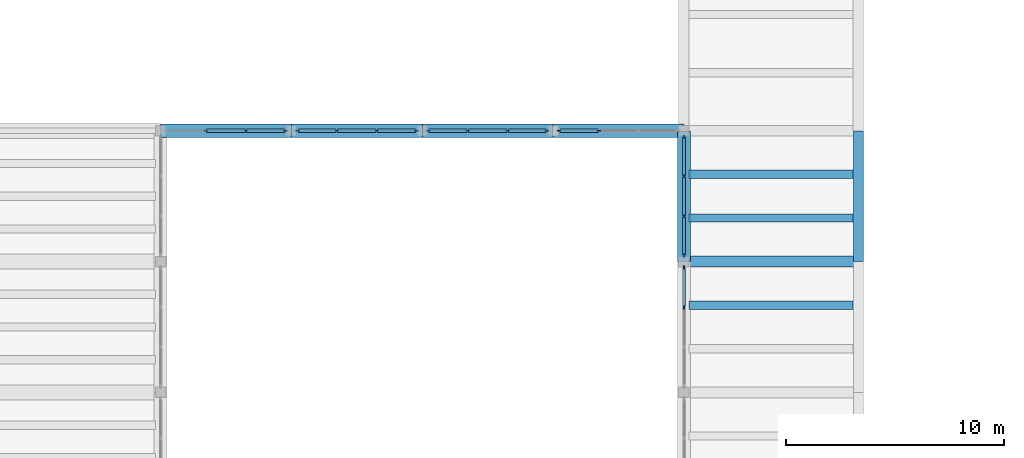
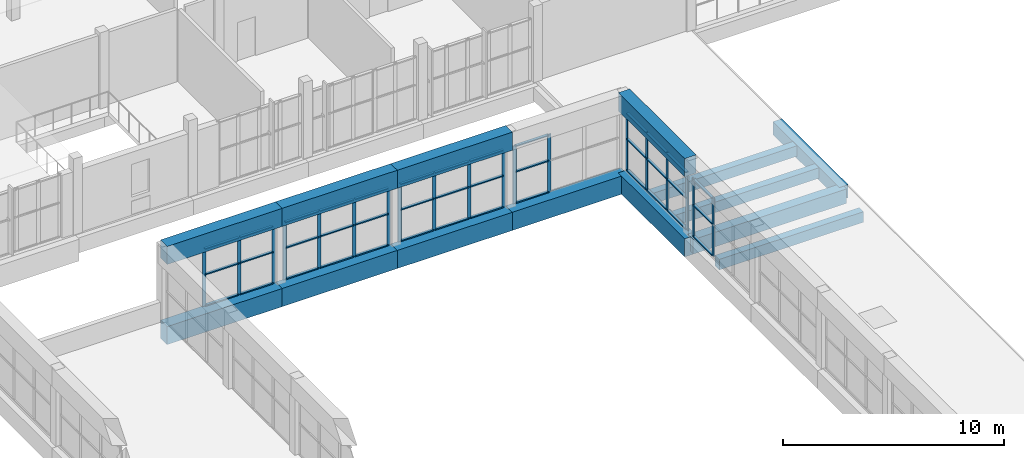
# One storey, part 25 of 70: 58 members, 14 beams, 6 elements without a shape of their own.
"""IFC4 building model written with IfcOpenShell, lengths in metres."""

from ifc_helpers import new_model, si_unit, direction, frame, origin, origin_2d, place, context, subcontext, project, spatial, rectangle, extrude, material, layer, layer_set, material_profile, profile_set, type_object, element, aggregate, save


model = new_model("IFC4")

# Units and contexts
model_context = context("Model", 3, precision=1e-05, world=origin(), true_north=direction((0.0, 1.0)))
body_context = subcontext(model_context, "Body", "Model", "MODEL_VIEW")
ifc_project = project(units=[si_unit("LENGTHUNIT", "METRE"), si_unit("AREAUNIT", "SQUARE_METRE"), si_unit("VOLUMEUNIT", "CUBIC_METRE"), si_unit("PLANEANGLEUNIT", "RADIAN"), si_unit("MASSUNIT", "GRAM", prefix="KILO")], contexts=[model_context])

# Site, building, storey
site_placement = place(None, origin())
site = spatial("IfcSite", under=ifc_project, at=site_placement, CompositionType="ELEMENT")
building_placement = place(site_placement, origin())
building = spatial("IfcBuilding", under=site, at=building_placement, Name="Solvane Community Centre", CompositionType="ELEMENT")
storey_placement = place(building_placement, frame((0.0, 0.0, 9.60009765625)))
storey = spatial("IfcBuildingStorey", under=building, at=storey_placement, Name="L02", CompositionType="ELEMENT", Elevation=9.60009765625)

# Curtain wall, members
ifc_material_1 = material(Name="Anodised bronze aluminium AW-6063 T6", Category="aluminium")
ifc_layer = layer(ifc_material_1, 0.179931640625)
ifc_layer_set = layer_set([ifc_layer], Name="Anodised bronze aluminium AW-6063 T6")
curtain_wall_type = type_object("IfcCurtainWallType", Name="Hall Translucent Upper Curtain Wall [55x32dm]", PredefinedType="NOTDEFINED", material=ifc_layer_set)
curtain_wall_1_placement = place(storey_placement, origin())
curtain_wall_1 = element("IfcCurtainWall", 1, at=curtain_wall_1_placement, inside=storey, type_object=curtain_wall_type, Name="Curtain Wall CW-L02-600_663-141", PredefinedType="NOTDEFINED")
ifc_material_profile_1 = material_profile(ifc_material_1, rectangle(XDim=0.06005859375, YDim=0.179931640625, at=origin_2d()), Name="CW-M 60x180")
ifc_profile_set_1 = profile_set([ifc_material_profile_1], Name="Anodised bronze aluminium AW-6063 T6")
member_type_1 = type_object("IfcMemberType", Name="Hall Mullion 60x180", PredefinedType="MULLION", material=ifc_profile_set_1)
member_1_placement = place(storey_placement, frame((60.0, 69.9150390625, 0.0), z_axis=(0.0, 0.0, 1.0), x_axis=(-1.0, 0.0, 0.0)))
member_1 = element("IfcMember", 2, at=member_1_placement, type_object=member_type_1, Name="CW01-55x32 mullion 3", PredefinedType="MULLION", context=body_context, shape_type="SweptSolid", body=[
    extrude(rectangle(XDim=0.06005859375, YDim=0.179931640625, at=origin_2d()), origin(), (0.0, 0.0, 1.0), 3.184814453125),
])
member_2_placement = place(storey_placement, frame((60.0, 71.715087890625, 0.0), z_axis=(0.0, 0.0, 1.0), x_axis=(-1.0, 0.0, 0.0)))
member_2 = element("IfcMember", 3, at=member_2_placement, type_object=member_type_1, Name="CW01-55x32 mullion 4", PredefinedType="MULLION", context=body_context, shape_type="SweptSolid", body=[
    extrude(rectangle(XDim=0.06005859375, YDim=0.179931640625, at=origin_2d()), origin(), (0.0, 0.0, 1.0), 3.184814453125),
])

curtain_wall_2_placement = place(storey_placement, origin())
curtain_wall_2 = element("IfcCurtainWall", 4, at=curtain_wall_2_placement, inside=storey, type_object=curtain_wall_type, Name="Curtain Wall CW-L02-600_723-142", PredefinedType="NOTDEFINED")
member_3_placement = place(storey_placement, frame((60.0, 72.284912109375, 0.0), z_axis=(0.0, 0.0, 1.0), x_axis=(-1.0, 0.0, 0.0)))
member_3 = element("IfcMember", 5, at=member_3_placement, type_object=member_type_1, Name="CW01-55x32 mullion 1", PredefinedType="MULLION", context=body_context, shape_type="SweptSolid", body=[
    extrude(rectangle(XDim=0.06005859375, YDim=0.179931640625, at=origin_2d()), origin(), (0.0, 0.0, 1.0), 3.184814453125),
])
member_4_placement = place(storey_placement, frame((60.0, 74.0849609375, 0.0), z_axis=(0.0, 0.0, 1.0), x_axis=(-1.0, 0.0, 0.0)))
member_4 = element("IfcMember", 6, at=member_4_placement, type_object=member_type_1, Name="CW01-55x32 mullion 2", PredefinedType="MULLION", context=body_context, shape_type="SweptSolid", body=[
    extrude(rectangle(XDim=0.06005859375, YDim=0.179931640625, at=origin_2d()), origin(), (0.0, 0.0, 1.0), 3.184814453125),
])
member_5_placement = place(storey_placement, frame((60.0, 75.9150390625, 0.0), z_axis=(0.0, 0.0, 1.0), x_axis=(-1.0, 0.0, 0.0)))
member_5 = element("IfcMember", 7, at=member_5_placement, type_object=member_type_1, Name="CW01-55x32 mullion 3", PredefinedType="MULLION", context=body_context, shape_type="SweptSolid", body=[
    extrude(rectangle(XDim=0.06005859375, YDim=0.179931640625, at=origin_2d()), origin(), (0.0, 0.0, 1.0), 3.184814453125),
])
member_6_placement = place(storey_placement, frame((60.0, 77.715087890625, 0.0), z_axis=(0.0, 0.0, 1.0), x_axis=(-1.0, 0.0, 0.0)))
member_6 = element("IfcMember", 8, at=member_6_placement, type_object=member_type_1, Name="CW01-55x32 mullion 4", PredefinedType="MULLION", context=body_context, shape_type="SweptSolid", body=[
    extrude(rectangle(XDim=0.06005859375, YDim=0.179931640625, at=origin_2d()), origin(), (0.0, 0.0, 1.0), 3.184814453125),
])

curtain_wall_3_placement = place(storey_placement, origin())
curtain_wall_3 = element("IfcCurtainWall", 9, at=curtain_wall_3_placement, inside=storey, type_object=curtain_wall_type, Name="Curtain Wall CW-L02-363_780-158", PredefinedType="NOTDEFINED")
member_7_placement = place(storey_placement, frame((38.0849609375, 78.0, 0.0), z_axis=(0.0, 0.0, 1.0), x_axis=(0.0, 1.0, 0.0)))
member_7 = element("IfcMember", 10, at=member_7_placement, type_object=member_type_1, Name="CW01-55x32 mullion 2", PredefinedType="MULLION", context=body_context, shape_type="SweptSolid", body=[
    extrude(rectangle(XDim=0.06005859375, YDim=0.179931640625, at=origin_2d()), origin(), (0.0, 0.0, 1.0), 3.184814453125),
])
member_8_placement = place(storey_placement, frame((39.9150390625, 78.0, 0.0), z_axis=(0.0, 0.0, 1.0), x_axis=(0.0, 1.0, 0.0)))
member_8 = element("IfcMember", 11, at=member_8_placement, type_object=member_type_1, Name="CW01-55x32 mullion 3", PredefinedType="MULLION", context=body_context, shape_type="SweptSolid", body=[
    extrude(rectangle(XDim=0.06005859375, YDim=0.179931640625, at=origin_2d()), origin(), (0.0, 0.0, 1.0), 3.184814453125),
])
member_9_placement = place(storey_placement, frame((41.715087890625, 78.0, 0.0), z_axis=(0.0, 0.0, 1.0), x_axis=(0.0, 1.0, 0.0)))
member_9 = element("IfcMember", 12, at=member_9_placement, type_object=member_type_1, Name="CW01-55x32 mullion 4", PredefinedType="MULLION", context=body_context, shape_type="SweptSolid", body=[
    extrude(rectangle(XDim=0.06005859375, YDim=0.179931640625, at=origin_2d()), origin(), (0.0, 0.0, 1.0), 3.184814453125),
])

curtain_wall_4_placement = place(storey_placement, origin())
curtain_wall_4 = element("IfcCurtainWall", 13, at=curtain_wall_4_placement, inside=storey, type_object=curtain_wall_type, Name="Curtain Wall CW-L02-423_780-159", PredefinedType="NOTDEFINED")
member_10_placement = place(storey_placement, frame((42.284912109375, 78.0, 0.0), z_axis=(0.0, 0.0, 1.0), x_axis=(0.0, 1.0, 0.0)))
member_10 = element("IfcMember", 14, at=member_10_placement, type_object=member_type_1, Name="CW01-55x32 mullion 1", PredefinedType="MULLION", context=body_context, shape_type="SweptSolid", body=[
    extrude(rectangle(XDim=0.06005859375, YDim=0.179931640625, at=origin_2d()), origin(), (0.0, 0.0, 1.0), 3.184814453125),
])
member_11_placement = place(storey_placement, frame((44.0849609375, 78.0, 0.0), z_axis=(0.0, 0.0, 1.0), x_axis=(0.0, 1.0, 0.0)))
member_11 = element("IfcMember", 15, at=member_11_placement, type_object=member_type_1, Name="CW01-55x32 mullion 2", PredefinedType="MULLION", context=body_context, shape_type="SweptSolid", body=[
    extrude(rectangle(XDim=0.06005859375, YDim=0.179931640625, at=origin_2d()), origin(), (0.0, 0.0, 1.0), 3.184814453125),
])
member_12_placement = place(storey_placement, frame((45.9150390625, 78.0, 0.0), z_axis=(0.0, 0.0, 1.0), x_axis=(0.0, 1.0, 0.0)))
member_12 = element("IfcMember", 16, at=member_12_placement, type_object=member_type_1, Name="CW01-55x32 mullion 3", PredefinedType="MULLION", context=body_context, shape_type="SweptSolid", body=[
    extrude(rectangle(XDim=0.06005859375, YDim=0.179931640625, at=origin_2d()), origin(), (0.0, 0.0, 1.0), 3.184814453125),
])
member_13_placement = place(storey_placement, frame((47.715087890625, 78.0, 0.0), z_axis=(0.0, 0.0, 1.0), x_axis=(0.0, 1.0, 0.0)))
member_13 = element("IfcMember", 17, at=member_13_placement, type_object=member_type_1, Name="CW01-55x32 mullion 4", PredefinedType="MULLION", context=body_context, shape_type="SweptSolid", body=[
    extrude(rectangle(XDim=0.06005859375, YDim=0.179931640625, at=origin_2d()), origin(), (0.0, 0.0, 1.0), 3.184814453125),
])

curtain_wall_5_placement = place(storey_placement, origin())
curtain_wall_5 = element("IfcCurtainWall", 18, at=curtain_wall_5_placement, inside=storey, type_object=curtain_wall_type, Name="Curtain Wall CW-L02-483_780-160", PredefinedType="NOTDEFINED")
member_14_placement = place(storey_placement, frame((48.284912109375, 78.0, 0.0), z_axis=(0.0, 0.0, 1.0), x_axis=(0.0, 1.0, 0.0)))
member_14 = element("IfcMember", 19, at=member_14_placement, type_object=member_type_1, Name="CW01-55x32 mullion 1", PredefinedType="MULLION", context=body_context, shape_type="SweptSolid", body=[
    extrude(rectangle(XDim=0.06005859375, YDim=0.179931640625, at=origin_2d()), origin(), (0.0, 0.0, 1.0), 3.184814453125),
])
member_15_placement = place(storey_placement, frame((50.0849609375, 78.0, 0.0), z_axis=(0.0, 0.0, 1.0), x_axis=(0.0, 1.0, 0.0)))
member_15 = element("IfcMember", 20, at=member_15_placement, type_object=member_type_1, Name="CW01-55x32 mullion 2", PredefinedType="MULLION", context=body_context, shape_type="SweptSolid", body=[
    extrude(rectangle(XDim=0.06005859375, YDim=0.179931640625, at=origin_2d()), origin(), (0.0, 0.0, 1.0), 3.184814453125),
])
member_16_placement = place(storey_placement, frame((51.9150390625, 78.0, 0.0), z_axis=(0.0, 0.0, 1.0), x_axis=(0.0, 1.0, 0.0)))
member_16 = element("IfcMember", 21, at=member_16_placement, type_object=member_type_1, Name="CW01-55x32 mullion 3", PredefinedType="MULLION", context=body_context, shape_type="SweptSolid", body=[
    extrude(rectangle(XDim=0.06005859375, YDim=0.179931640625, at=origin_2d()), origin(), (0.0, 0.0, 1.0), 3.184814453125),
])
member_17_placement = place(storey_placement, frame((53.715087890625, 78.0, 0.0), z_axis=(0.0, 0.0, 1.0), x_axis=(0.0, 1.0, 0.0)))
member_17 = element("IfcMember", 22, at=member_17_placement, type_object=member_type_1, Name="CW01-55x32 mullion 4", PredefinedType="MULLION", context=body_context, shape_type="SweptSolid", body=[
    extrude(rectangle(XDim=0.06005859375, YDim=0.179931640625, at=origin_2d()), origin(), (0.0, 0.0, 1.0), 3.184814453125),
])

curtain_wall_6_placement = place(storey_placement, origin())
curtain_wall_6 = element("IfcCurtainWall", 23, at=curtain_wall_6_placement, inside=storey, type_object=curtain_wall_type, Name="Curtain Wall CW-L02-543_780-161", PredefinedType="NOTDEFINED")
member_18_placement = place(storey_placement, frame((54.284912109375, 78.0, 0.0), z_axis=(0.0, 0.0, 1.0), x_axis=(0.0, 1.0, 0.0)))
member_18 = element("IfcMember", 24, at=member_18_placement, type_object=member_type_1, Name="CW01-55x32 mullion 1", PredefinedType="MULLION", context=body_context, shape_type="SweptSolid", body=[
    extrude(rectangle(XDim=0.06005859375, YDim=0.179931640625, at=origin_2d()), origin(), (0.0, 0.0, 1.0), 3.184814453125),
])
member_19_placement = place(storey_placement, frame((56.0849609375, 78.0, 0.0), z_axis=(0.0, 0.0, 1.0), x_axis=(0.0, 1.0, 0.0)))
member_19 = element("IfcMember", 25, at=member_19_placement, type_object=member_type_1, Name="CW01-55x32 mullion 2", PredefinedType="MULLION", context=body_context, shape_type="SweptSolid", body=[
    extrude(rectangle(XDim=0.06005859375, YDim=0.179931640625, at=origin_2d()), origin(), (0.0, 0.0, 1.0), 3.184814453125),
])

# Member
ifc_material_profile_2 = material_profile(ifc_material_1, rectangle(XDim=0.139892578125, YDim=0.06005859375, at=origin_2d()), Name="CW-T 60x140")
ifc_profile_set_2 = profile_set([ifc_material_profile_2], Name="Anodised bronze aluminium AW-6063 T6")
member_type_2 = type_object("IfcMemberType", Name="Hall Transom 60x140", PredefinedType="USERDEFINED", material=ifc_profile_set_2)
member_20_placement = place(storey_placement, frame((60.0, 69.945068359375, 0.02978515625), z_axis=(0.0, 1.0, 0.0), x_axis=(-1.0, 0.0, 0.0)))
member_20 = element("IfcMember", 26, at=member_20_placement, type_object=member_type_2, Name="CW01-55x32 transom 3.1", ObjectType="TRANSOM", PredefinedType="USERDEFINED", context=body_context, shape_type="SweptSolid", body=[
    extrude(rectangle(XDim=0.139892578125, YDim=0.06005859375, at=origin_2d()), origin(), (0.0, 0.0, 1.0), 1.739990234375),
])

member_21_placement = place(storey_placement, frame((60.0, 69.945068359375, 1.751953125), z_axis=(0.0, 1.0, 0.0), x_axis=(-1.0, 0.0, 0.0)))
member_21 = element("IfcMember", 27, at=member_21_placement, type_object=member_type_2, Name="CW01-55x32 transom 3.2", ObjectType="TRANSOM", PredefinedType="USERDEFINED", context=body_context, shape_type="SweptSolid", body=[
    extrude(rectangle(XDim=0.139892578125, YDim=0.06005859375, at=origin_2d()), origin(), (0.0, 0.0, 1.0), 1.739990234375),
])

member_22_placement = place(storey_placement, frame((60.0, 69.945068359375, 3.15478515625), z_axis=(0.0, 1.0, 0.0), x_axis=(-1.0, 0.0, 0.0)))
member_22 = element("IfcMember", 28, at=member_22_placement, type_object=member_type_2, Name="CW01-55x32 transom 3.3", ObjectType="TRANSOM", PredefinedType="USERDEFINED", context=body_context, shape_type="SweptSolid", body=[
    extrude(rectangle(XDim=0.139892578125, YDim=0.06005859375, at=origin_2d()), origin(), (0.0, 0.0, 1.0), 1.739990234375),
])

aggregate(curtain_wall_1, [member_1, member_2, member_20, member_21, member_22])

member_23_placement = place(storey_placement, frame((60.0, 72.31494140625, 0.02978515625), z_axis=(0.0, 1.0, 0.0), x_axis=(-1.0, 0.0, 0.0)))
member_23 = element("IfcMember", 29, at=member_23_placement, type_object=member_type_2, Name="CW01-55x32 transom 1.1", ObjectType="TRANSOM", PredefinedType="USERDEFINED", context=body_context, shape_type="SweptSolid", body=[
    extrude(rectangle(XDim=0.139892578125, YDim=0.06005859375, at=origin_2d()), origin(), (0.0, 0.0, 1.0), 1.739990234375),
])

member_24_placement = place(storey_placement, frame((60.0, 72.31494140625, 1.751953125), z_axis=(0.0, 1.0, 0.0), x_axis=(-1.0, 0.0, 0.0)))
member_24 = element("IfcMember", 30, at=member_24_placement, type_object=member_type_2, Name="CW01-55x32 transom 1.2", ObjectType="TRANSOM", PredefinedType="USERDEFINED", context=body_context, shape_type="SweptSolid", body=[
    extrude(rectangle(XDim=0.139892578125, YDim=0.06005859375, at=origin_2d()), origin(), (0.0, 0.0, 1.0), 1.739990234375),
])

member_25_placement = place(storey_placement, frame((60.0, 72.31494140625, 3.15478515625), z_axis=(0.0, 1.0, 0.0), x_axis=(-1.0, 0.0, 0.0)))
member_25 = element("IfcMember", 31, at=member_25_placement, type_object=member_type_2, Name="CW01-55x32 transom 1.3", ObjectType="TRANSOM", PredefinedType="USERDEFINED", context=body_context, shape_type="SweptSolid", body=[
    extrude(rectangle(XDim=0.139892578125, YDim=0.06005859375, at=origin_2d()), origin(), (0.0, 0.0, 1.0), 1.739990234375),
])

member_26_placement = place(storey_placement, frame((60.0, 74.114990234375, 0.02978515625), z_axis=(0.0, 1.0, 0.0), x_axis=(-1.0, 0.0, 0.0)))
member_26 = element("IfcMember", 32, at=member_26_placement, type_object=member_type_2, Name="CW01-55x32 transom 2.1", ObjectType="TRANSOM", PredefinedType="USERDEFINED", context=body_context, shape_type="SweptSolid", body=[
    extrude(rectangle(XDim=0.139892578125, YDim=0.06005859375, at=origin_2d()), origin(), (0.0, 0.0, 1.0), 1.77001953125),
])

member_27_placement = place(storey_placement, frame((60.0, 74.114990234375, 1.751953125), z_axis=(0.0, 1.0, 0.0), x_axis=(-1.0, 0.0, 0.0)))
member_27 = element("IfcMember", 33, at=member_27_placement, type_object=member_type_2, Name="CW01-55x32 transom 2.2", ObjectType="TRANSOM", PredefinedType="USERDEFINED", context=body_context, shape_type="SweptSolid", body=[
    extrude(rectangle(XDim=0.139892578125, YDim=0.06005859375, at=origin_2d()), origin(), (0.0, 0.0, 1.0), 1.77001953125),
])

member_28_placement = place(storey_placement, frame((60.0, 74.114990234375, 3.15478515625), z_axis=(0.0, 1.0, 0.0), x_axis=(-1.0, 0.0, 0.0)))
member_28 = element("IfcMember", 34, at=member_28_placement, type_object=member_type_2, Name="CW01-55x32 transom 2.3", ObjectType="TRANSOM", PredefinedType="USERDEFINED", context=body_context, shape_type="SweptSolid", body=[
    extrude(rectangle(XDim=0.139892578125, YDim=0.06005859375, at=origin_2d()), origin(), (0.0, 0.0, 1.0), 1.77001953125),
])

member_29_placement = place(storey_placement, frame((60.0, 75.945068359375, 0.02978515625), z_axis=(0.0, 1.0, 0.0), x_axis=(-1.0, 0.0, 0.0)))
member_29 = element("IfcMember", 35, at=member_29_placement, type_object=member_type_2, Name="CW01-55x32 transom 3.1", ObjectType="TRANSOM", PredefinedType="USERDEFINED", context=body_context, shape_type="SweptSolid", body=[
    extrude(rectangle(XDim=0.139892578125, YDim=0.06005859375, at=origin_2d()), origin(), (0.0, 0.0, 1.0), 1.739990234375),
])

member_30_placement = place(storey_placement, frame((60.0, 75.945068359375, 1.751953125), z_axis=(0.0, 1.0, 0.0), x_axis=(-1.0, 0.0, 0.0)))
member_30 = element("IfcMember", 36, at=member_30_placement, type_object=member_type_2, Name="CW01-55x32 transom 3.2", ObjectType="TRANSOM", PredefinedType="USERDEFINED", context=body_context, shape_type="SweptSolid", body=[
    extrude(rectangle(XDim=0.139892578125, YDim=0.06005859375, at=origin_2d()), origin(), (0.0, 0.0, 1.0), 1.739990234375),
])

member_31_placement = place(storey_placement, frame((60.0, 75.945068359375, 3.15478515625), z_axis=(0.0, 1.0, 0.0), x_axis=(-1.0, 0.0, 0.0)))
member_31 = element("IfcMember", 37, at=member_31_placement, type_object=member_type_2, Name="CW01-55x32 transom 3.3", ObjectType="TRANSOM", PredefinedType="USERDEFINED", context=body_context, shape_type="SweptSolid", body=[
    extrude(rectangle(XDim=0.139892578125, YDim=0.06005859375, at=origin_2d()), origin(), (0.0, 0.0, 1.0), 1.739990234375),
])

aggregate(curtain_wall_2, [member_3, member_4, member_5, member_6, member_23, member_24, member_25, member_26, member_27, member_28, member_29, member_30, member_31])

member_32_placement = place(storey_placement, frame((38.114990234375, 78.0, 0.02978515625), z_axis=(1.0, 0.0, 0.0), x_axis=(0.0, 1.0, 0.0)))
member_32 = element("IfcMember", 38, at=member_32_placement, type_object=member_type_2, Name="CW01-55x32 transom 2.1", ObjectType="TRANSOM", PredefinedType="USERDEFINED", context=body_context, shape_type="SweptSolid", body=[
    extrude(rectangle(XDim=0.139892578125, YDim=0.06005859375, at=origin_2d()), origin(), (0.0, 0.0, 1.0), 1.77001953125),
])

member_33_placement = place(storey_placement, frame((38.114990234375, 78.0, 1.751953125), z_axis=(1.0, 0.0, 0.0), x_axis=(0.0, 1.0, 0.0)))
member_33 = element("IfcMember", 39, at=member_33_placement, type_object=member_type_2, Name="CW01-55x32 transom 2.2", ObjectType="TRANSOM", PredefinedType="USERDEFINED", context=body_context, shape_type="SweptSolid", body=[
    extrude(rectangle(XDim=0.139892578125, YDim=0.06005859375, at=origin_2d()), origin(), (0.0, 0.0, 1.0), 1.77001953125),
])

member_34_placement = place(storey_placement, frame((38.114990234375, 78.0, 3.15478515625), z_axis=(1.0, 0.0, 0.0), x_axis=(0.0, 1.0, 0.0)))
member_34 = element("IfcMember", 40, at=member_34_placement, type_object=member_type_2, Name="CW01-55x32 transom 2.3", ObjectType="TRANSOM", PredefinedType="USERDEFINED", context=body_context, shape_type="SweptSolid", body=[
    extrude(rectangle(XDim=0.139892578125, YDim=0.06005859375, at=origin_2d()), origin(), (0.0, 0.0, 1.0), 1.77001953125),
])

member_35_placement = place(storey_placement, frame((39.945068359375, 78.0, 0.02978515625), z_axis=(1.0, 0.0, 0.0), x_axis=(0.0, 1.0, 0.0)))
member_35 = element("IfcMember", 41, at=member_35_placement, type_object=member_type_2, Name="CW01-55x32 transom 3.1", ObjectType="TRANSOM", PredefinedType="USERDEFINED", context=body_context, shape_type="SweptSolid", body=[
    extrude(rectangle(XDim=0.139892578125, YDim=0.06005859375, at=origin_2d()), origin(), (0.0, 0.0, 1.0), 1.739990234375),
])

member_36_placement = place(storey_placement, frame((39.945068359375, 78.0, 1.751953125), z_axis=(1.0, 0.0, 0.0), x_axis=(0.0, 1.0, 0.0)))
member_36 = element("IfcMember", 42, at=member_36_placement, type_object=member_type_2, Name="CW01-55x32 transom 3.2", ObjectType="TRANSOM", PredefinedType="USERDEFINED", context=body_context, shape_type="SweptSolid", body=[
    extrude(rectangle(XDim=0.139892578125, YDim=0.06005859375, at=origin_2d()), origin(), (0.0, 0.0, 1.0), 1.739990234375),
])

member_37_placement = place(storey_placement, frame((39.945068359375, 78.0, 3.15478515625), z_axis=(1.0, 0.0, 0.0), x_axis=(0.0, 1.0, 0.0)))
member_37 = element("IfcMember", 43, at=member_37_placement, type_object=member_type_2, Name="CW01-55x32 transom 3.3", ObjectType="TRANSOM", PredefinedType="USERDEFINED", context=body_context, shape_type="SweptSolid", body=[
    extrude(rectangle(XDim=0.139892578125, YDim=0.06005859375, at=origin_2d()), origin(), (0.0, 0.0, 1.0), 1.739990234375),
])

aggregate(curtain_wall_3, [member_7, member_8, member_9, member_32, member_33, member_34, member_35, member_36, member_37])

member_38_placement = place(storey_placement, frame((42.31494140625, 78.0, 0.02978515625), z_axis=(1.0, 0.0, 0.0), x_axis=(0.0, 1.0, 0.0)))
member_38 = element("IfcMember", 44, at=member_38_placement, type_object=member_type_2, Name="CW01-55x32 transom 1.1", ObjectType="TRANSOM", PredefinedType="USERDEFINED", context=body_context, shape_type="SweptSolid", body=[
    extrude(rectangle(XDim=0.139892578125, YDim=0.06005859375, at=origin_2d()), origin(), (0.0, 0.0, 1.0), 1.739990234375),
])

member_39_placement = place(storey_placement, frame((42.31494140625, 78.0, 1.751953125), z_axis=(1.0, 0.0, 0.0), x_axis=(0.0, 1.0, 0.0)))
member_39 = element("IfcMember", 45, at=member_39_placement, type_object=member_type_2, Name="CW01-55x32 transom 1.2", ObjectType="TRANSOM", PredefinedType="USERDEFINED", context=body_context, shape_type="SweptSolid", body=[
    extrude(rectangle(XDim=0.139892578125, YDim=0.06005859375, at=origin_2d()), origin(), (0.0, 0.0, 1.0), 1.739990234375),
])

member_40_placement = place(storey_placement, frame((42.31494140625, 78.0, 3.15478515625), z_axis=(1.0, 0.0, 0.0), x_axis=(0.0, 1.0, 0.0)))
member_40 = element("IfcMember", 46, at=member_40_placement, type_object=member_type_2, Name="CW01-55x32 transom 1.3", ObjectType="TRANSOM", PredefinedType="USERDEFINED", context=body_context, shape_type="SweptSolid", body=[
    extrude(rectangle(XDim=0.139892578125, YDim=0.06005859375, at=origin_2d()), origin(), (0.0, 0.0, 1.0), 1.739990234375),
])

member_41_placement = place(storey_placement, frame((44.114990234375, 78.0, 0.02978515625), z_axis=(1.0, 0.0, 0.0), x_axis=(0.0, 1.0, 0.0)))
member_41 = element("IfcMember", 47, at=member_41_placement, type_object=member_type_2, Name="CW01-55x32 transom 2.1", ObjectType="TRANSOM", PredefinedType="USERDEFINED", context=body_context, shape_type="SweptSolid", body=[
    extrude(rectangle(XDim=0.139892578125, YDim=0.06005859375, at=origin_2d()), origin(), (0.0, 0.0, 1.0), 1.77001953125),
])

member_42_placement = place(storey_placement, frame((44.114990234375, 78.0, 1.751953125), z_axis=(1.0, 0.0, 0.0), x_axis=(0.0, 1.0, 0.0)))
member_42 = element("IfcMember", 48, at=member_42_placement, type_object=member_type_2, Name="CW01-55x32 transom 2.2", ObjectType="TRANSOM", PredefinedType="USERDEFINED", context=body_context, shape_type="SweptSolid", body=[
    extrude(rectangle(XDim=0.139892578125, YDim=0.06005859375, at=origin_2d()), origin(), (0.0, 0.0, 1.0), 1.77001953125),
])

member_43_placement = place(storey_placement, frame((44.114990234375, 78.0, 3.15478515625), z_axis=(1.0, 0.0, 0.0), x_axis=(0.0, 1.0, 0.0)))
member_43 = element("IfcMember", 49, at=member_43_placement, type_object=member_type_2, Name="CW01-55x32 transom 2.3", ObjectType="TRANSOM", PredefinedType="USERDEFINED", context=body_context, shape_type="SweptSolid", body=[
    extrude(rectangle(XDim=0.139892578125, YDim=0.06005859375, at=origin_2d()), origin(), (0.0, 0.0, 1.0), 1.77001953125),
])

member_44_placement = place(storey_placement, frame((45.945068359375, 78.0, 0.02978515625), z_axis=(1.0, 0.0, 0.0), x_axis=(0.0, 1.0, 0.0)))
member_44 = element("IfcMember", 50, at=member_44_placement, type_object=member_type_2, Name="CW01-55x32 transom 3.1", ObjectType="TRANSOM", PredefinedType="USERDEFINED", context=body_context, shape_type="SweptSolid", body=[
    extrude(rectangle(XDim=0.139892578125, YDim=0.06005859375, at=origin_2d()), origin(), (0.0, 0.0, 1.0), 1.739990234375),
])

member_45_placement = place(storey_placement, frame((45.945068359375, 78.0, 1.751953125), z_axis=(1.0, 0.0, 0.0), x_axis=(0.0, 1.0, 0.0)))
member_45 = element("IfcMember", 51, at=member_45_placement, type_object=member_type_2, Name="CW01-55x32 transom 3.2", ObjectType="TRANSOM", PredefinedType="USERDEFINED", context=body_context, shape_type="SweptSolid", body=[
    extrude(rectangle(XDim=0.139892578125, YDim=0.06005859375, at=origin_2d()), origin(), (0.0, 0.0, 1.0), 1.739990234375),
])

member_46_placement = place(storey_placement, frame((45.945068359375, 78.0, 3.15478515625), z_axis=(1.0, 0.0, 0.0), x_axis=(0.0, 1.0, 0.0)))
member_46 = element("IfcMember", 52, at=member_46_placement, type_object=member_type_2, Name="CW01-55x32 transom 3.3", ObjectType="TRANSOM", PredefinedType="USERDEFINED", context=body_context, shape_type="SweptSolid", body=[
    extrude(rectangle(XDim=0.139892578125, YDim=0.06005859375, at=origin_2d()), origin(), (0.0, 0.0, 1.0), 1.739990234375),
])

aggregate(curtain_wall_4, [member_10, member_11, member_12, member_13, member_38, member_39, member_40, member_41, member_42, member_43, member_44, member_45, member_46])

member_47_placement = place(storey_placement, frame((48.31494140625, 78.0, 0.02978515625), z_axis=(1.0, 0.0, 0.0), x_axis=(0.0, 1.0, 0.0)))
member_47 = element("IfcMember", 53, at=member_47_placement, type_object=member_type_2, Name="CW01-55x32 transom 1.1", ObjectType="TRANSOM", PredefinedType="USERDEFINED", context=body_context, shape_type="SweptSolid", body=[
    extrude(rectangle(XDim=0.139892578125, YDim=0.06005859375, at=origin_2d()), origin(), (0.0, 0.0, 1.0), 1.739990234375),
])

member_48_placement = place(storey_placement, frame((48.31494140625, 78.0, 1.751953125), z_axis=(1.0, 0.0, 0.0), x_axis=(0.0, 1.0, 0.0)))
member_48 = element("IfcMember", 54, at=member_48_placement, type_object=member_type_2, Name="CW01-55x32 transom 1.2", ObjectType="TRANSOM", PredefinedType="USERDEFINED", context=body_context, shape_type="SweptSolid", body=[
    extrude(rectangle(XDim=0.139892578125, YDim=0.06005859375, at=origin_2d()), origin(), (0.0, 0.0, 1.0), 1.739990234375),
])

member_49_placement = place(storey_placement, frame((48.31494140625, 78.0, 3.15478515625), z_axis=(1.0, 0.0, 0.0), x_axis=(0.0, 1.0, 0.0)))
member_49 = element("IfcMember", 55, at=member_49_placement, type_object=member_type_2, Name="CW01-55x32 transom 1.3", ObjectType="TRANSOM", PredefinedType="USERDEFINED", context=body_context, shape_type="SweptSolid", body=[
    extrude(rectangle(XDim=0.139892578125, YDim=0.06005859375, at=origin_2d()), origin(), (0.0, 0.0, 1.0), 1.739990234375),
])

member_50_placement = place(storey_placement, frame((50.114990234375, 78.0, 0.02978515625), z_axis=(1.0, 0.0, 0.0), x_axis=(0.0, 1.0, 0.0)))
member_50 = element("IfcMember", 56, at=member_50_placement, type_object=member_type_2, Name="CW01-55x32 transom 2.1", ObjectType="TRANSOM", PredefinedType="USERDEFINED", context=body_context, shape_type="SweptSolid", body=[
    extrude(rectangle(XDim=0.139892578125, YDim=0.06005859375, at=origin_2d()), origin(), (0.0, 0.0, 1.0), 1.77001953125),
])

member_51_placement = place(storey_placement, frame((50.114990234375, 78.0, 1.751953125), z_axis=(1.0, 0.0, 0.0), x_axis=(0.0, 1.0, 0.0)))
member_51 = element("IfcMember", 57, at=member_51_placement, type_object=member_type_2, Name="CW01-55x32 transom 2.2", ObjectType="TRANSOM", PredefinedType="USERDEFINED", context=body_context, shape_type="SweptSolid", body=[
    extrude(rectangle(XDim=0.139892578125, YDim=0.06005859375, at=origin_2d()), origin(), (0.0, 0.0, 1.0), 1.77001953125),
])

member_52_placement = place(storey_placement, frame((50.114990234375, 78.0, 3.15478515625), z_axis=(1.0, 0.0, 0.0), x_axis=(0.0, 1.0, 0.0)))
member_52 = element("IfcMember", 58, at=member_52_placement, type_object=member_type_2, Name="CW01-55x32 transom 2.3", ObjectType="TRANSOM", PredefinedType="USERDEFINED", context=body_context, shape_type="SweptSolid", body=[
    extrude(rectangle(XDim=0.139892578125, YDim=0.06005859375, at=origin_2d()), origin(), (0.0, 0.0, 1.0), 1.77001953125),
])

member_53_placement = place(storey_placement, frame((51.945068359375, 78.0, 0.02978515625), z_axis=(1.0, 0.0, 0.0), x_axis=(0.0, 1.0, 0.0)))
member_53 = element("IfcMember", 59, at=member_53_placement, type_object=member_type_2, Name="CW01-55x32 transom 3.1", ObjectType="TRANSOM", PredefinedType="USERDEFINED", context=body_context, shape_type="SweptSolid", body=[
    extrude(rectangle(XDim=0.139892578125, YDim=0.06005859375, at=origin_2d()), origin(), (0.0, 0.0, 1.0), 1.739990234375),
])

member_54_placement = place(storey_placement, frame((51.945068359375, 78.0, 1.751953125), z_axis=(1.0, 0.0, 0.0), x_axis=(0.0, 1.0, 0.0)))
member_54 = element("IfcMember", 60, at=member_54_placement, type_object=member_type_2, Name="CW01-55x32 transom 3.2", ObjectType="TRANSOM", PredefinedType="USERDEFINED", context=body_context, shape_type="SweptSolid", body=[
    extrude(rectangle(XDim=0.139892578125, YDim=0.06005859375, at=origin_2d()), origin(), (0.0, 0.0, 1.0), 1.739990234375),
])

member_55_placement = place(storey_placement, frame((51.945068359375, 78.0, 3.15478515625), z_axis=(1.0, 0.0, 0.0), x_axis=(0.0, 1.0, 0.0)))
member_55 = element("IfcMember", 61, at=member_55_placement, type_object=member_type_2, Name="CW01-55x32 transom 3.3", ObjectType="TRANSOM", PredefinedType="USERDEFINED", context=body_context, shape_type="SweptSolid", body=[
    extrude(rectangle(XDim=0.139892578125, YDim=0.06005859375, at=origin_2d()), origin(), (0.0, 0.0, 1.0), 1.739990234375),
])

aggregate(curtain_wall_5, [member_14, member_15, member_16, member_17, member_47, member_48, member_49, member_50, member_51, member_52, member_53, member_54, member_55])

member_56_placement = place(storey_placement, frame((54.31494140625, 78.0, 0.02978515625), z_axis=(1.0, 0.0, 0.0), x_axis=(0.0, 1.0, 0.0)))
member_56 = element("IfcMember", 62, at=member_56_placement, type_object=member_type_2, Name="CW01-55x32 transom 1.1", ObjectType="TRANSOM", PredefinedType="USERDEFINED", context=body_context, shape_type="SweptSolid", body=[
    extrude(rectangle(XDim=0.139892578125, YDim=0.06005859375, at=origin_2d()), origin(), (0.0, 0.0, 1.0), 1.739990234375),
])

member_57_placement = place(storey_placement, frame((54.31494140625, 78.0, 1.751953125), z_axis=(1.0, 0.0, 0.0), x_axis=(0.0, 1.0, 0.0)))
member_57 = element("IfcMember", 63, at=member_57_placement, type_object=member_type_2, Name="CW01-55x32 transom 1.2", ObjectType="TRANSOM", PredefinedType="USERDEFINED", context=body_context, shape_type="SweptSolid", body=[
    extrude(rectangle(XDim=0.139892578125, YDim=0.06005859375, at=origin_2d()), origin(), (0.0, 0.0, 1.0), 1.739990234375),
])

member_58_placement = place(storey_placement, frame((54.31494140625, 78.0, 3.15478515625), z_axis=(1.0, 0.0, 0.0), x_axis=(0.0, 1.0, 0.0)))
member_58 = element("IfcMember", 64, at=member_58_placement, type_object=member_type_2, Name="CW01-55x32 transom 1.3", ObjectType="TRANSOM", PredefinedType="USERDEFINED", context=body_context, shape_type="SweptSolid", body=[
    extrude(rectangle(XDim=0.139892578125, YDim=0.06005859375, at=origin_2d()), origin(), (0.0, 0.0, 1.0), 1.739990234375),
])

aggregate(curtain_wall_6, [member_18, member_19, member_56, member_57, member_58])

# Beams
ifc_material_2 = material(Name="Concrete C35/45", Category="concrete")
ifc_material_profile_3 = material_profile(ifc_material_2, rectangle(XDim=0.4599609375, YDim=0.719970703125, at=origin_2d()), Name="RC 460x720")
ifc_profile_set_3 = profile_set([ifc_material_profile_3], Name="Concrete C35/45")
beam_type_1 = type_object("IfcBeamType", Name="RC Cloister Beam 460x720", PredefinedType="BEAM", material=ifc_profile_set_3)
beam_1_placement = place(storey_placement, frame((68.0, 72.0, -0.580078125), z_axis=(0.0, 1.0, 0.0), x_axis=(-1.0, 0.0, 0.0)))
element("IfcBeam", 65, at=beam_1_placement, inside=storey, type_object=beam_type_1, Name="Beam BM-L02-680_720-680_780", PredefinedType="BEAM", context=body_context, shape_type="SweptSolid", body=[
    extrude(rectangle(XDim=0.4599609375, YDim=0.719970703125, at=origin_2d()), origin(), (0.0, 0.0, 1.0), 6.0),
])
ifc_material_profile_4 = material_profile(ifc_material_2, rectangle(XDim=0.5, YDim=0.800048828125, at=origin_2d()), Name="RC 500x800")
ifc_profile_set_4 = profile_set([ifc_material_profile_4], Name="Concrete C35/45")
beam_type_2 = type_object("IfcBeamType", Name="RC Primary Girder 500x800", PredefinedType="USERDEFINED", material=ifc_profile_set_4)
beam_2_placement = place(storey_placement, frame((60.0, 72.0, -0.6201171875), z_axis=(1.0, 0.0, 0.0), x_axis=(0.0, 1.0, 0.0)))
element("IfcBeam", 66, at=beam_2_placement, inside=storey, type_object=beam_type_2, Name="Beam BM-L02-600_720-680_720", ObjectType="GIRDER", PredefinedType="USERDEFINED", context=body_context, shape_type="SweptSolid", body=[
    extrude(rectangle(XDim=0.5, YDim=0.800048828125, at=origin_2d()), origin(), (0.0, 0.0, 1.0), 8.0),
])
ifc_material_profile_5 = material_profile(ifc_material_2, rectangle(XDim=0.3798828125, YDim=0.580078125, at=origin_2d()), Name="RC 380x580")
ifc_profile_set_5 = profile_set([ifc_material_profile_5], Name="Concrete C35/45")
beam_type_3 = type_object("IfcBeamType", Name="RC Short Joist 380x580", PredefinedType="JOIST", material=ifc_profile_set_5)
for number, where, z_axis, x_axis, name in (
    (67, (60.239990234375, 70.0, -0.510009765625), (1.0, 0.0, 0.0), (0.0, 1.0, 0.0), "Beam BM-L02-602_700-678_700"),
    (68, (60.239990234375, 74.0, -0.510009765625), (1.0, 0.0, 0.0), (0.0, 1.0, 0.0), "Beam BM-L02-602_740-678_740"),
    (69, (60.239990234375, 76.0, -0.510009765625), (1.0, 0.0, 0.0), (0.0, 1.0, 0.0), "Beam BM-L02-602_760-678_760"),
):
    element("IfcBeam", number, at=place(storey_placement, frame(where, z_axis=z_axis, x_axis=x_axis)), inside=storey, type_object=beam_type_3, Name=name, PredefinedType="JOIST", context=body_context, shape_type="SweptSolid", body=[
        extrude(rectangle(XDim=0.3798828125, YDim=0.580078125, at=origin_2d()), origin(), (0.0, 0.0, 1.0), 7.52001953125),
    ])
ifc_material_profile_6 = material_profile(ifc_material_2, rectangle(XDim=0.60009765625, YDim=1.0, at=origin_2d()), Name="RC 600x1000")
ifc_profile_set_6 = profile_set([ifc_material_profile_6], Name="Concrete C35/45")
beam_type_4 = type_object("IfcBeamType", Name="RC Vault Thrust Ring Girder 600x1000", PredefinedType="USERDEFINED", material=ifc_profile_set_6)
for number, where, z_axis, x_axis, name in (
    (70, (36.0, 78.0, -0.72021484375), (1.0, 0.0, 0.0), (0.0, 1.0, 0.0), "Beam BM-L02-360_780-420_780"),
    (71, (42.0, 78.0, -0.72021484375), (1.0, 0.0, 0.0), (0.0, 1.0, 0.0), "Beam BM-L02-420_780-480_780"),
    (72, (48.0, 78.0, -0.72021484375), (1.0, 0.0, 0.0), (0.0, 1.0, 0.0), "Beam BM-L02-480_780-540_780"),
    (73, (54.0, 78.0, -0.72021484375), (1.0, 0.0, 0.0), (0.0, 1.0, 0.0), "Beam BM-L02-540_780-600_780"),
    (74, (60.0, 72.0, -0.72021484375), (0.0, 1.0, 0.0), (-1.0, 0.0, 0.0), "Beam BM-L02-600_720-600_780"),
    (75, (60.0, 72.0, 3.699951171875), (0.0, 1.0, 0.0), (-1.0, 0.0, 0.0), "Beam BM-L02-600_720-600_780-1469"),
    (76, (36.0, 78.0, 3.699951171875), (1.0, 0.0, 0.0), (0.0, 1.0, 0.0), "Beam BM-L02-360_780-420_780-1479"),
    (77, (42.0, 78.0, 3.699951171875), (1.0, 0.0, 0.0), (0.0, 1.0, 0.0), "Beam BM-L02-420_780-480_780-1481"),
    (78, (48.0, 78.0, 3.699951171875), (1.0, 0.0, 0.0), (0.0, 1.0, 0.0), "Beam BM-L02-480_780-540_780-1483"),
):
    element("IfcBeam", number, at=place(storey_placement, frame(where, z_axis=z_axis, x_axis=x_axis)), inside=storey, type_object=beam_type_4, Name=name, ObjectType="GIRDER", PredefinedType="USERDEFINED", context=body_context, shape_type="SweptSolid", body=[
        extrude(rectangle(XDim=0.60009765625, YDim=1.0, at=origin_2d()), origin(), (0.0, 0.0, 1.0), 6.0),
    ])

save(model, "model.ifc")
